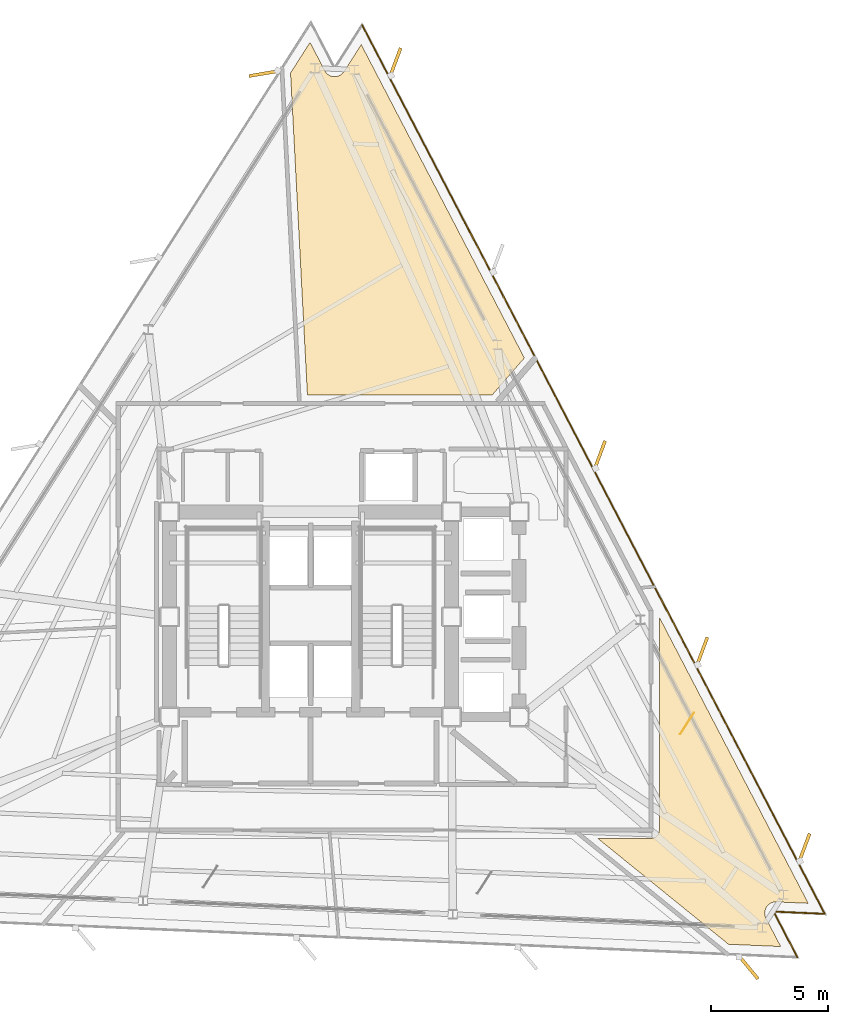
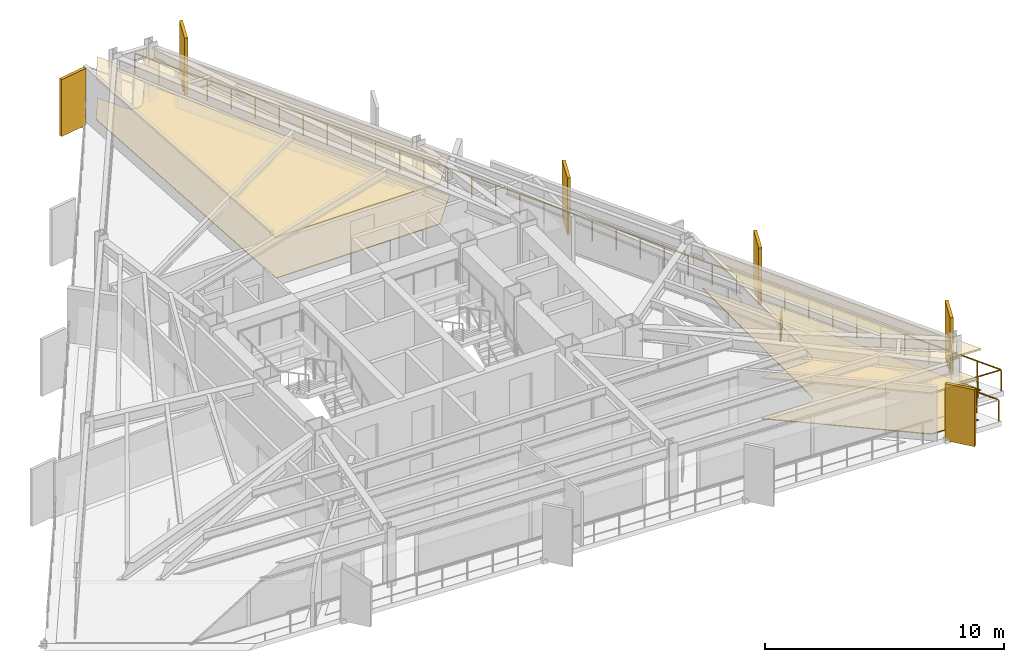
# One storey, part 12 of 12: 6 shading devices, 5 coverings, 1 railing.
"""IFC4 building model written with IfcOpenShell, lengths in metres."""

from ifc_helpers import new_model, si_unit, direction, frame, origin, origin_2d, place, context, subcontext, project, spatial, polyline, rectangle, outline, extrude, material, layer, layer_set, type_object, element, save


model = new_model("IFC4")

# Units and contexts
model_context = context("Model", 3, precision=1e-05, world=origin(), true_north=direction((0.0, 1.0)))
body_context = subcontext(model_context, "Body", "Model", "MODEL_VIEW")
ifc_project = project(units=[si_unit("LENGTHUNIT", "METRE"), si_unit("AREAUNIT", "SQUARE_METRE"), si_unit("VOLUMEUNIT", "CUBIC_METRE"), si_unit("PLANEANGLEUNIT", "RADIAN"), si_unit("MASSUNIT", "GRAM", prefix="KILO")], contexts=[model_context])

# Site, building, storey
site_placement = place(None, origin())
site = spatial("IfcSite", under=ifc_project, at=site_placement, CompositionType="ELEMENT")
building_placement = place(site_placement, origin())
building = spatial("IfcBuilding", under=site, at=building_placement, Name="Rocaltana Carrier Exchange", CompositionType="ELEMENT")
storey_placement = place(building_placement, frame((0.0, 0.0, 132.0)))
storey = spatial("IfcBuildingStorey", under=building, at=storey_placement, Name="L41", CompositionType="ELEMENT", Elevation=132.0)

# Coverings
ifc_material_1 = material(Name="Honed Bogota Sandstone Tile", Category="masonry")
ifc_layer_1 = layer(ifc_material_1, 0.0400390625)
ifc_layer_set_1 = layer_set([ifc_layer_1], Name="Honed Bogota Sandstone Tile")
covering_type_1 = type_object("IfcCoveringType", Name="Honed Stone Lobby Flooring 40", PredefinedType="FLOORING", material=ifc_layer_set_1)
covering_1_placement = place(storey_placement, origin())
element("IfcCovering", 1, at=covering_1_placement, inside=storey, type_object=covering_type_1, Name="L41 Carrier Peering Suite Finish Floor", PredefinedType="FLOORING", context=body_context, shape_type="SweptSolid", body=[
    extrude(outline(polyline([(14.9599609375, -0.01904296875), (21.352294921875, -12.298828125), (19.985107421875, -12.239013671875), (19.97119140625, -12.23876953125), (19.951171875, -12.239013671875), (19.92333984375, -12.240478515625), (19.903564453125, -12.24267578125), (19.8759765625, -12.246826171875), (19.8564453125, -12.2509765625), (19.829345703125, -12.258056640625), (19.810302734375, -12.263916015625), (19.7841796875, -12.273681640625), (19.765869140625, -12.281494140625), (19.740966796875, -12.2939453125), (19.723388671875, -12.303466796875), (19.69970703125, -12.318115234375), (19.683349609375, -12.32958984375), (19.6611328125, -12.3466796875), (19.64599609375, -12.359619140625), (19.62548828125, -12.378662109375), (19.61181640625, -12.392822265625), (19.593505859375, -12.4140625), (19.5810546875, -12.4296875), (19.56494140625, -12.452392578125), (19.55419921875, -12.46923828125), (19.540283203125, -12.493408203125), (19.531494140625, -12.51123046875), (19.52001953125, -12.536865234375), (19.512939453125, -12.555419921875), (19.504150390625, -12.581787109375), (19.498779296875, -12.601318359375), (19.492919921875, -12.62841796875), (19.489501953125, -12.648193359375), (19.486328125, -12.67578125), (19.48486328125, -12.69580078125), (19.484375, -12.7236328125), (19.485107421875, -12.743408203125), (19.4873046875, -12.771240234375), (19.489990234375, -12.791015625), (19.494873046875, -12.818603515625), (19.49951171875, -12.837890625), (19.507080078125, -12.86474609375), (19.513671875, -12.8837890625), (19.52392578125, -12.90966796875), (19.5322265625, -12.927734375), (19.538330078125, -12.940185546875), (20.17041015625, -14.154296875), (17.93017578125, -14.056396484375), (12.31591796875, -9.510009765625), (14.60009765625, -9.510009765625), (14.61376953125, -9.509765625), (14.62158203125, -9.50927734375), (14.64892578125, -9.506591796875), (14.65673828125, -9.50537109375), (14.68359375, -9.5), (14.69140625, -9.498291015625), (14.717529296875, -9.490234375), (14.724853515625, -9.487548828125), (14.750244140625, -9.47705078125), (14.75732421875, -9.4736328125), (14.78173828125, -9.460693359375), (14.788330078125, -9.456787109375), (14.811279296875, -9.44140625), (14.8173828125, -9.436767578125), (14.8388671875, -9.419189453125), (14.844482421875, -9.4140625), (14.864013671875, -9.39453125), (14.869384765625, -9.388916015625), (14.88671875, -9.367431640625), (14.891357421875, -9.361083984375), (14.90673828125, -9.33837890625), (14.91064453125, -9.331787109375), (14.923583984375, -9.307373046875), (14.927001953125, -9.30029296875), (14.9375, -9.27490234375), (14.940185546875, -9.267578125), (14.9482421875, -9.2412109375), (14.9501953125, -9.233642578125), (14.955322265625, -9.206787109375), (14.95654296875, -9.198974609375), (14.959228515625, -9.171630859375), (14.959716796875, -9.163818359375), (14.9599609375, -9.14990234375), (14.9599609375, -0.01904296875)])), origin(), (0.0, 0.0, 1.0), 0.0400390625),
])
covering_2_placement = place(storey_placement, origin())
element("IfcCovering", 2, at=covering_2_placement, inside=storey, type_object=covering_type_1, Name="L41 Carrier Peering Suite Finish Floor", PredefinedType="FLOORING", context=body_context, shape_type="SweptSolid", body=[
    extrude(outline(polyline([(-0.025146484375, 24.64111328125), (0.606689453125, 23.42724609375), (0.613525390625, 23.4150390625), (0.62353515625, 23.397705078125), (0.638916015625, 23.37451171875), (0.650634765625, 23.3583984375), (0.668212890625, 23.336669921875), (0.681396484375, 23.32177734375), (0.700927734375, 23.3017578125), (0.7158203125, 23.288330078125), (0.7373046875, 23.2705078125), (0.753173828125, 23.258544921875), (0.7763671875, 23.242919921875), (0.79345703125, 23.232666015625), (0.818115234375, 23.219482421875), (0.8359375, 23.2109375), (0.86181640625, 23.2001953125), (0.880615234375, 23.193603515625), (0.9072265625, 23.185546875), (0.9267578125, 23.180908203125), (0.9541015625, 23.17529296875), (0.973876953125, 23.172607421875), (1.001708984375, 23.169921875), (1.021484375, 23.169189453125), (1.04931640625, 23.169189453125), (1.0693359375, 23.17041015625), (1.09716796875, 23.17333984375), (1.11669921875, 23.176513671875), (1.14404296875, 23.18212890625), (1.163330078125, 23.18701171875), (1.18994140625, 23.195556640625), (1.208740234375, 23.202392578125), (1.234375, 23.21337890625), (1.252197265625, 23.22216796875), (1.276611328125, 23.235595703125), (1.293701171875, 23.24609375), (1.316650390625, 23.26220703125), (1.33251953125, 23.2744140625), (1.353759765625, 23.292236328125), (1.368408203125, 23.305908203125), (1.3876953125, 23.326171875), (1.400634765625, 23.341064453125), (1.41796875, 23.363037109375), (1.429443359375, 23.37939453125), (1.437255859375, 23.390869140625), (2.172607421875, 24.545166015625), (9.171875, 11.099853515625), (7.789794921875, 9.510009765625), (-0.137939453125, 9.510009765625), (-0.862060546875, 23.32763671875), (-0.025146484375, 24.64111328125)])), origin(), (0.0, 0.0, 1.0), 0.0400390625),
])
ifc_material_2 = material(Name="Anodised Aluminium 6063-T6", Category="aluminium")
ifc_layer_2 = layer(ifc_material_2, 0.0849609375)
ifc_layer_set_2 = layer_set([ifc_layer_2], Name="Anodised Aluminium 6063-T6")
covering_type_2 = type_object("IfcCoveringType", Name="Linear Baffle Acoustic Ceiling 85", PredefinedType="CEILING", material=ifc_layer_set_2)
covering_3_placement = place(storey_placement, frame((0.0, 0.0, 2.052978515625)))
element("IfcCovering", 3, at=covering_3_placement, inside=storey, type_object=covering_type_2, Name="L41 Carrier Peering Suite Acoustic Ceiling", PredefinedType="CEILING", context=body_context, shape_type="SweptSolid", body=[
    extrude(outline(polyline([(14.9599609375, -0.01904296875), (21.352294921875, -12.298828125), (19.985107421875, -12.239013671875), (19.97119140625, -12.23876953125), (19.951171875, -12.239013671875), (19.92333984375, -12.240478515625), (19.903564453125, -12.24267578125), (19.8759765625, -12.246826171875), (19.8564453125, -12.2509765625), (19.829345703125, -12.258056640625), (19.810302734375, -12.263916015625), (19.7841796875, -12.273681640625), (19.765869140625, -12.281494140625), (19.740966796875, -12.2939453125), (19.723388671875, -12.303466796875), (19.69970703125, -12.318115234375), (19.683349609375, -12.32958984375), (19.6611328125, -12.3466796875), (19.64599609375, -12.359619140625), (19.62548828125, -12.378662109375), (19.61181640625, -12.392822265625), (19.593505859375, -12.4140625), (19.5810546875, -12.4296875), (19.56494140625, -12.452392578125), (19.55419921875, -12.46923828125), (19.540283203125, -12.493408203125), (19.531494140625, -12.51123046875), (19.52001953125, -12.536865234375), (19.512939453125, -12.555419921875), (19.504150390625, -12.581787109375), (19.498779296875, -12.601318359375), (19.492919921875, -12.62841796875), (19.489501953125, -12.648193359375), (19.486328125, -12.67578125), (19.48486328125, -12.69580078125), (19.484375, -12.7236328125), (19.485107421875, -12.743408203125), (19.4873046875, -12.771240234375), (19.489990234375, -12.791015625), (19.494873046875, -12.818603515625), (19.49951171875, -12.837890625), (19.507080078125, -12.86474609375), (19.513671875, -12.8837890625), (19.52392578125, -12.90966796875), (19.5322265625, -12.927734375), (19.538330078125, -12.940185546875), (20.17041015625, -14.154296875), (17.93017578125, -14.056396484375), (12.31591796875, -9.510009765625), (14.60009765625, -9.510009765625), (14.61376953125, -9.509765625), (14.62158203125, -9.50927734375), (14.64892578125, -9.506591796875), (14.65673828125, -9.50537109375), (14.68359375, -9.5), (14.69140625, -9.498291015625), (14.717529296875, -9.490234375), (14.724853515625, -9.487548828125), (14.750244140625, -9.47705078125), (14.75732421875, -9.4736328125), (14.78173828125, -9.460693359375), (14.788330078125, -9.456787109375), (14.811279296875, -9.44140625), (14.8173828125, -9.436767578125), (14.8388671875, -9.419189453125), (14.844482421875, -9.4140625), (14.864013671875, -9.39453125), (14.869384765625, -9.388916015625), (14.88671875, -9.367431640625), (14.891357421875, -9.361083984375), (14.90673828125, -9.33837890625), (14.91064453125, -9.331787109375), (14.923583984375, -9.307373046875), (14.927001953125, -9.30029296875), (14.9375, -9.27490234375), (14.940185546875, -9.267578125), (14.9482421875, -9.2412109375), (14.9501953125, -9.233642578125), (14.955322265625, -9.206787109375), (14.95654296875, -9.198974609375), (14.959228515625, -9.171630859375), (14.959716796875, -9.163818359375), (14.9599609375, -9.14990234375), (14.9599609375, -0.01904296875)])), origin(), (0.0, 0.0, 1.0), 0.0849609375),
])
covering_4_placement = place(storey_placement, frame((0.0, 0.0, 2.052978515625)))
element("IfcCovering", 4, at=covering_4_placement, inside=storey, type_object=covering_type_2, Name="L41 Carrier Peering Suite Acoustic Ceiling", PredefinedType="CEILING", context=body_context, shape_type="SweptSolid", body=[
    extrude(outline(polyline([(-0.025146484375, 24.64111328125), (0.606689453125, 23.42724609375), (0.613525390625, 23.4150390625), (0.62353515625, 23.397705078125), (0.638916015625, 23.37451171875), (0.650634765625, 23.3583984375), (0.668212890625, 23.336669921875), (0.681396484375, 23.32177734375), (0.700927734375, 23.3017578125), (0.7158203125, 23.288330078125), (0.7373046875, 23.2705078125), (0.753173828125, 23.258544921875), (0.7763671875, 23.242919921875), (0.79345703125, 23.232666015625), (0.818115234375, 23.219482421875), (0.8359375, 23.2109375), (0.86181640625, 23.2001953125), (0.880615234375, 23.193603515625), (0.9072265625, 23.185546875), (0.9267578125, 23.180908203125), (0.9541015625, 23.17529296875), (0.973876953125, 23.172607421875), (1.001708984375, 23.169921875), (1.021484375, 23.169189453125), (1.04931640625, 23.169189453125), (1.0693359375, 23.17041015625), (1.09716796875, 23.17333984375), (1.11669921875, 23.176513671875), (1.14404296875, 23.18212890625), (1.163330078125, 23.18701171875), (1.18994140625, 23.195556640625), (1.208740234375, 23.202392578125), (1.234375, 23.21337890625), (1.252197265625, 23.22216796875), (1.276611328125, 23.235595703125), (1.293701171875, 23.24609375), (1.316650390625, 23.26220703125), (1.33251953125, 23.2744140625), (1.353759765625, 23.292236328125), (1.368408203125, 23.305908203125), (1.3876953125, 23.326171875), (1.400634765625, 23.341064453125), (1.41796875, 23.363037109375), (1.429443359375, 23.37939453125), (1.437255859375, 23.390869140625), (2.172607421875, 24.545166015625), (9.171875, 11.099853515625), (7.789794921875, 9.510009765625), (-0.137939453125, 9.510009765625), (-0.862060546875, 23.32763671875), (-0.025146484375, 24.64111328125)])), origin(), (0.0, 0.0, 1.0), 0.0849609375),
])
ifc_material_3 = material(Name="Honed Piedra Muneca Sandstone", Category="masonry")
ifc_layer_3 = layer(ifc_material_3, 0.034912109375)
ifc_layer_set_3 = layer_set([ifc_layer_3], Name="Honed Piedra Muneca Sandstone")
covering_type_3 = type_object("IfcCoveringType", Name="Stone Facade Cladding 35", PredefinedType="CLADDING", material=ifc_layer_set_3)
covering_5_placement = place(storey_placement, frame((16.148193359375, -4.58447265625, 0.0), z_axis=(0.0, 0.0, 1.0), x_axis=(0.544639035015, 0.838670567945, 0.0)))
element("IfcCovering", 5, at=covering_5_placement, inside=storey, type_object=covering_type_3, Name="L41 Stone Facade Cladding Panel 5", PredefinedType="CLADDING", context=body_context, shape_type="SweptSolid", body=[
    extrude(rectangle(XDim=1.10009765625, YDim=0.034912109375, at=origin_2d()), origin(), (0.0, 0.0, 1.0), 1.050048828125),
])

# Shading devices
ifc_material_4 = material(Name="Honed Bogota Sandstone & Concrete C45/55", Category="masonry")
ifc_layer_4 = layer(ifc_material_4, 0.139892578125)
ifc_layer_set_4 = layer_set([ifc_layer_4], Name="Honed Bogota Sandstone & Concrete C45/55")
shading_device_type = type_object("IfcShadingDeviceType", Name="Vertical Sandstone Shading Fin 1320x140", PredefinedType="USERDEFINED", material=ifc_layer_set_4)
for number, where, z_axis, x_axis, name in (
    (6, (21.1787109375, -9.927490234375, -0.1201171875), (0.0, 0.0, 1.0), (0.350207381259, 0.936672189248, 0.0), "L41 Sandstone Vertical Fin F1-01"),
    (7, (16.7919921875, -1.5009765625, -0.1201171875), (0.0, 0.0, 1.0), (0.350207381259, 0.936672189248, 0.0), "L41 Sandstone Vertical Fin F1-02"),
    (8, (12.405517578125, 6.925537109375, -0.1201171875), (0.0, 0.0, 1.0), (0.350207381259, 0.936672189248, 0.0), "L41 Sandstone Vertical Fin F1-03"),
    (9, (3.63232421875, 23.77880859375, -0.1201171875), (0.0, 0.0, 1.0), (0.350207381259, 0.936672189248, 0.0), "L41 Sandstone Vertical Fin F1-05"),
    (10, (-1.99169921875, 23.30517578125, -0.1201171875), (0.0, 0.0, 1.0), (-0.986285601537, -0.165047605861, 0.0), "L41 Sandstone Vertical Fin F2-01"),
    (11, (18.77685546875, -15.034912109375, -0.1201171875), (0.0, 0.0, 1.0), (0.636078220278, -0.771624583388, 0.0), "L41 Sandstone Vertical Fin F3-05"),
):
    element("IfcShadingDevice", number, at=place(storey_placement, frame(where, z_axis=z_axis, x_axis=x_axis)), inside=storey, type_object=shading_device_type, Name=name, ObjectType="FIN", PredefinedType="USERDEFINED", context=body_context, shape_type="SweptSolid", body=[
        extrude(rectangle(XDim=1.320068359375, YDim=0.139892578125, at=origin_2d()), origin(), (0.0, 0.0, 1.0), 2.907958984375),
    ])

# Railing
ifc_material_5 = material(Name="Powder-Coated Aluminium 6063-T6", Category="aluminium")
ifc_layer_5 = layer(ifc_material_5, 0.06005859375)
ifc_layer_set_5 = layer_set([ifc_layer_5], Name="Powder-Coated Aluminium 6063-T6")
railing_type = type_object("IfcRailingType", Name="Wind-Floor & Terrace Perimeter Guardrail 1100", PredefinedType="GUARDRAIL", material=ifc_layer_set_5)
railing_placement = place(storey_placement, frame((2.20947265625, 25.384521484375, 0.0)))
element("IfcRailing", 12, at=railing_placement, inside=storey, type_object=railing_type, Name="L41 Perimeter Balcony Guardrail 3", PredefinedType="GUARDRAIL", context=body_context, shape_type="SweptSolid", body=[
    extrude(rectangle(XDim=0.048095703125, YDim=0.048095703125, at=origin_2d()), frame((0.0, 0.0, 1.076171875), z_axis=(0.461743909672, -0.887013281682, 0.0), x_axis=(0.887013281682, 0.461743909672, 0.0)), (0.0, 0.0, 1.0), 42.991943359375),
    extrude(rectangle(XDim=0.048095703125, YDim=0.048095703125, at=origin_2d()), frame((19.851318359375, -38.134521484375, 1.076171875), z_axis=(-0.999048394753, 0.043615420922, 0.0), x_axis=(-0.043615420922, -0.999048394753, 0.0)), (0.0, 0.0, 1.0), 2.199951171875),
    extrude(rectangle(XDim=0.048095703125, YDim=0.048095703125, at=origin_2d()), frame((17.653564453125, -38.03857421875, 1.076171875), z_axis=(0.461758004933, -0.887005944107, 0.0), x_axis=(0.887005944107, 0.461758004933, 0.0)), (0.0, 0.0, 1.0), 2.199951171875),
    extrude(rectangle(XDim=0.0419921875, YDim=0.0419921875, at=origin_2d()), origin(), (0.0, 0.0, 1.0), 1.052001953125),
    extrude(rectangle(XDim=0.0419921875, YDim=0.0419921875, at=origin_2d()), frame((0.551513671875, -1.059326171875, 0.0)), (0.0, 0.0, 1.0), 1.052001953125),
    extrude(rectangle(XDim=0.0419921875, YDim=0.0419921875, at=origin_2d()), frame((1.102783203125, -2.11865234375, 0.0)), (0.0, 0.0, 1.0), 1.052001953125),
    extrude(rectangle(XDim=0.0419921875, YDim=0.0419921875, at=origin_2d()), frame((1.654296875, -3.177978515625, 0.0)), (0.0, 0.0, 1.0), 1.052001953125),
    extrude(rectangle(XDim=0.0419921875, YDim=0.0419921875, at=origin_2d()), frame((2.205810546875, -4.237060546875, 0.0)), (0.0, 0.0, 1.0), 1.052001953125),
    extrude(rectangle(XDim=0.0419921875, YDim=0.0419921875, at=origin_2d()), frame((2.757080078125, -5.29638671875, 0.0)), (0.0, 0.0, 1.0), 1.052001953125),
    extrude(rectangle(XDim=0.0419921875, YDim=0.0419921875, at=origin_2d()), frame((3.30859375, -6.355712890625, 0.0)), (0.0, 0.0, 1.0), 1.052001953125),
    extrude(rectangle(XDim=0.0419921875, YDim=0.0419921875, at=origin_2d()), frame((3.85986328125, -7.4150390625, 0.0)), (0.0, 0.0, 1.0), 1.052001953125),
    extrude(rectangle(XDim=0.0419921875, YDim=0.0419921875, at=origin_2d()), frame((4.411376953125, -8.474365234375, 0.0)), (0.0, 0.0, 1.0), 1.052001953125),
    extrude(rectangle(XDim=0.0419921875, YDim=0.0419921875, at=origin_2d()), frame((4.962890625, -9.53369140625, 0.0)), (0.0, 0.0, 1.0), 1.052001953125),
    extrude(rectangle(XDim=0.0419921875, YDim=0.0419921875, at=origin_2d()), frame((5.51416015625, -10.593017578125, 0.0)), (0.0, 0.0, 1.0), 1.052001953125),
    extrude(rectangle(XDim=0.0419921875, YDim=0.0419921875, at=origin_2d()), frame((6.065673828125, -11.652099609375, 0.0)), (0.0, 0.0, 1.0), 1.052001953125),
    extrude(rectangle(XDim=0.0419921875, YDim=0.0419921875, at=origin_2d()), frame((6.6171875, -12.71142578125, 0.0)), (0.0, 0.0, 1.0), 1.052001953125),
    extrude(rectangle(XDim=0.0419921875, YDim=0.0419921875, at=origin_2d()), frame((7.16845703125, -13.770751953125, 0.0)), (0.0, 0.0, 1.0), 1.052001953125),
    extrude(rectangle(XDim=0.0419921875, YDim=0.0419921875, at=origin_2d()), frame((7.719970703125, -14.830078125, 0.0)), (0.0, 0.0, 1.0), 1.052001953125),
    extrude(rectangle(XDim=0.0419921875, YDim=0.0419921875, at=origin_2d()), frame((8.271484375, -15.889404296875, 0.0)), (0.0, 0.0, 1.0), 1.052001953125),
    extrude(rectangle(XDim=0.0419921875, YDim=0.0419921875, at=origin_2d()), frame((8.82275390625, -16.94873046875, 0.0)), (0.0, 0.0, 1.0), 1.052001953125),
    extrude(rectangle(XDim=0.0419921875, YDim=0.0419921875, at=origin_2d()), frame((9.374267578125, -18.008056640625, 0.0)), (0.0, 0.0, 1.0), 1.052001953125),
    extrude(rectangle(XDim=0.0419921875, YDim=0.0419921875, at=origin_2d()), frame((9.92578125, -19.0673828125, 0.0)), (0.0, 0.0, 1.0), 1.052001953125),
    extrude(rectangle(XDim=0.0419921875, YDim=0.0419921875, at=origin_2d()), frame((10.47705078125, -20.12646484375, 0.0)), (0.0, 0.0, 1.0), 1.052001953125),
    extrude(rectangle(XDim=0.0419921875, YDim=0.0419921875, at=origin_2d()), frame((11.028564453125, -21.185791015625, 0.0)), (0.0, 0.0, 1.0), 1.052001953125),
    extrude(rectangle(XDim=0.0419921875, YDim=0.0419921875, at=origin_2d()), frame((11.579833984375, -22.2451171875, 0.0)), (0.0, 0.0, 1.0), 1.052001953125),
    extrude(rectangle(XDim=0.0419921875, YDim=0.0419921875, at=origin_2d()), frame((12.13134765625, -23.304443359375, 0.0)), (0.0, 0.0, 1.0), 1.052001953125),
    extrude(rectangle(XDim=0.0419921875, YDim=0.0419921875, at=origin_2d()), frame((12.682861328125, -24.36376953125, 0.0)), (0.0, 0.0, 1.0), 1.052001953125),
    extrude(rectangle(XDim=0.0419921875, YDim=0.0419921875, at=origin_2d()), frame((13.234130859375, -25.423095703125, 0.0)), (0.0, 0.0, 1.0), 1.052001953125),
    extrude(rectangle(XDim=0.0419921875, YDim=0.0419921875, at=origin_2d()), frame((13.78564453125, -26.482421875, 0.0)), (0.0, 0.0, 1.0), 1.052001953125),
    extrude(rectangle(XDim=0.0419921875, YDim=0.0419921875, at=origin_2d()), frame((14.337158203125, -27.54150390625, 0.0)), (0.0, 0.0, 1.0), 1.052001953125),
    extrude(rectangle(XDim=0.0419921875, YDim=0.0419921875, at=origin_2d()), frame((14.888427734375, -28.600830078125, 0.0)), (0.0, 0.0, 1.0), 1.052001953125),
    extrude(rectangle(XDim=0.0419921875, YDim=0.0419921875, at=origin_2d()), frame((15.43994140625, -29.66015625, 0.0)), (0.0, 0.0, 1.0), 1.052001953125),
    extrude(rectangle(XDim=0.0419921875, YDim=0.0419921875, at=origin_2d()), frame((15.991455078125, -30.719482421875, 0.0)), (0.0, 0.0, 1.0), 1.052001953125),
    extrude(rectangle(XDim=0.0419921875, YDim=0.0419921875, at=origin_2d()), frame((16.542724609375, -31.77880859375, 0.0)), (0.0, 0.0, 1.0), 1.052001953125),
    extrude(rectangle(XDim=0.0419921875, YDim=0.0419921875, at=origin_2d()), frame((17.09423828125, -32.838134765625, 0.0)), (0.0, 0.0, 1.0), 1.052001953125),
    extrude(rectangle(XDim=0.0419921875, YDim=0.0419921875, at=origin_2d()), frame((17.6455078125, -33.8974609375, 0.0)), (0.0, 0.0, 1.0), 1.052001953125),
    extrude(rectangle(XDim=0.0419921875, YDim=0.0419921875, at=origin_2d()), frame((18.197021484375, -34.95654296875, 0.0)), (0.0, 0.0, 1.0), 1.052001953125),
    extrude(rectangle(XDim=0.0419921875, YDim=0.0419921875, at=origin_2d()), frame((18.74853515625, -36.015869140625, 0.0)), (0.0, 0.0, 1.0), 1.052001953125),
    extrude(rectangle(XDim=0.0419921875, YDim=0.0419921875, at=origin_2d()), frame((19.2998046875, -37.0751953125, 0.0)), (0.0, 0.0, 1.0), 1.052001953125),
    extrude(rectangle(XDim=0.0419921875, YDim=0.0419921875, at=origin_2d()), frame((19.851318359375, -38.134521484375, 0.0)), (0.0, 0.0, 1.0), 1.052001953125),
    extrude(rectangle(XDim=0.0419921875, YDim=0.0419921875, at=origin_2d()), frame((18.75244140625, -38.08642578125, 0.0)), (0.0, 0.0, 1.0), 1.052001953125),
    extrude(rectangle(XDim=0.0419921875, YDim=0.0419921875, at=origin_2d()), frame((17.653564453125, -38.03857421875, 0.0)), (0.0, 0.0, 1.0), 1.052001953125),
    extrude(rectangle(XDim=0.0419921875, YDim=0.0419921875, at=origin_2d()), frame((18.16162109375, -39.01416015625, 0.0)), (0.0, 0.0, 1.0), 1.052001953125),
    extrude(rectangle(XDim=0.0419921875, YDim=0.0419921875, at=origin_2d()), frame((18.66943359375, -39.989990234375, 0.0)), (0.0, 0.0, 1.0), 1.052001953125),
])

save(model, "model.ifc")
